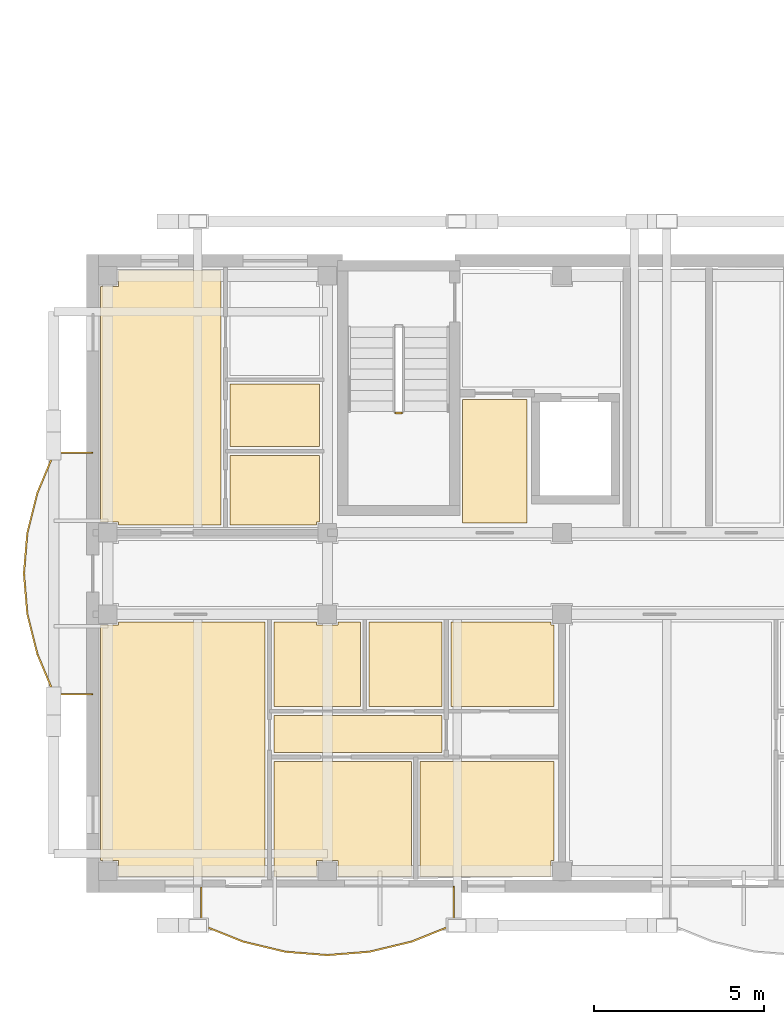
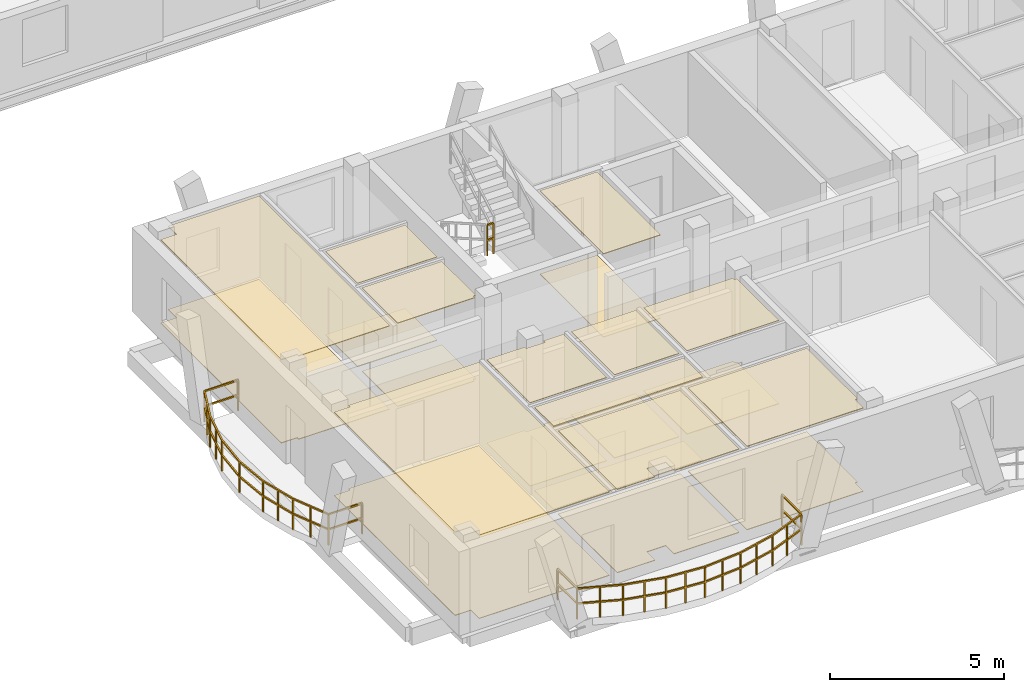
# One storey, part 87 of 109: 22 coverings, 3 railings.
"""IFC4 building model written with IfcOpenShell, lengths in metres."""

from ifc_helpers import new_model, si_unit, direction, frame, origin, origin_2d, place, context, subcontext, project, spatial, polyline, rectangle, outline, extrude, material, layer, layer_set, type_object, element, save


model = new_model("IFC4")

# Units and contexts
model_context = context("Model", 3, precision=1e-05, world=origin(), true_north=direction((0.0, 1.0)))
body_context = subcontext(model_context, "Body", "Model", "MODEL_VIEW")
ifc_project = project(units=[si_unit("LENGTHUNIT", "METRE"), si_unit("AREAUNIT", "SQUARE_METRE"), si_unit("VOLUMEUNIT", "CUBIC_METRE"), si_unit("PLANEANGLEUNIT", "RADIAN"), si_unit("MASSUNIT", "GRAM", prefix="KILO")], contexts=[model_context])

# Site, building, storey
site_placement = place(None, origin())
site = spatial("IfcSite", under=ifc_project, at=site_placement, CompositionType="ELEMENT")
building_placement = place(site_placement, origin())
building = spatial("IfcBuilding", under=site, at=building_placement, Name="Zavelmont Quarter", CompositionType="ELEMENT")
storey_placement = place(building_placement, frame((0.0, 0.0, 8.0)))
storey = spatial("IfcBuildingStorey", under=building, at=storey_placement, Name="L02", CompositionType="ELEMENT", Elevation=8.0)

# Coverings
ifc_material_1 = material(Name="Perforated acoustic gypsum board")
ifc_layer_1 = layer(ifc_material_1, 0.02490234375)
ifc_layer_set_1 = layer_set([ifc_layer_1], Name="Perforated acoustic gypsum board")
covering_type_1 = type_object("IfcCoveringType", Name="CV-CL01", PredefinedType="CEILING", material=ifc_layer_set_1)
covering_1_placement = place(storey_placement, frame((0.0, 0.0, 2.9150390625)))
element("IfcCovering", 1, at=covering_1_placement, inside=storey, type_object=covering_type_1, Name="L02 Lobby Vestibule acoustic ceiling", PredefinedType="CEILING", context=body_context, shape_type="SweptSolid", body=[
    extrude(outline(polyline([(10.8798828125, 14.320068359375), (12.77001953125, 14.320068359375), (12.77001953125, 10.679931640625), (10.8798828125, 10.679931640625), (10.8798828125, 14.320068359375)])), origin(), (0.0, 0.0, 1.0), 0.02490234375),
])
covering_2_placement = place(storey_placement, frame((0.0, 0.0, 2.9150390625)))
element("IfcCovering", 2, at=covering_2_placement, inside=storey, type_object=covering_type_1, Name="L02 Living Dining acoustic ceiling", PredefinedType="CEILING", context=body_context, shape_type="SweptSolid", body=[
    extrude(outline(polyline([(0.22998046875, 7.68505859375), (0.7548828125, 7.68505859375), (0.7548828125, 7.77001953125), (5.070068359375, 7.77001953125), (5.070068359375, 0.280029296875), (0.7548828125, 0.280029296875), (0.7548828125, 0.7548828125), (0.22998046875, 0.7548828125), (0.22998046875, 7.68505859375)])), origin(), (0.0, 0.0, 1.0), 0.02490234375),
])
covering_3_placement = place(storey_placement, frame((0.0, 0.0, 2.9150390625)))
element("IfcCovering", 3, at=covering_3_placement, inside=storey, type_object=covering_type_1, Name="L02 Kitchen acoustic ceiling", PredefinedType="CEILING", context=body_context, shape_type="SweptSolid", body=[
    extrude(outline(polyline([(5.330078125, 7.77001953125), (6.5849609375, 7.77001953125), (6.5849609375, 7.68505859375), (7.215087890625, 7.68505859375), (7.215087890625, 7.77001953125), (7.8701171875, 7.77001953125), (7.8701171875, 5.280029296875), (5.330078125, 5.280029296875), (5.330078125, 7.77001953125)])), origin(), (0.0, 0.0, 1.0), 0.02490234375),
])
covering_4_placement = place(storey_placement, frame((0.0, 0.0, 2.9150390625)))
element("IfcCovering", 4, at=covering_4_placement, inside=storey, type_object=covering_type_1, Name="L02 Master Bedroom acoustic ceiling", PredefinedType="CEILING", context=body_context, shape_type="SweptSolid", body=[
    extrude(outline(polyline([(5.330078125, 3.669921875), (9.3701171875, 3.669921875), (9.3701171875, 0.280029296875), (7.215087890625, 0.280029296875), (7.215087890625, 0.7548828125), (6.5849609375, 0.7548828125), (6.5849609375, 0.280029296875), (5.330078125, 0.280029296875), (5.330078125, 3.669921875)])), origin(), (0.0, 0.0, 1.0), 0.02490234375),
])
covering_5_placement = place(storey_placement, frame((0.0, 0.0, 2.9150390625)))
element("IfcCovering", 5, at=covering_5_placement, inside=storey, type_object=covering_type_1, Name="L02 Double Bedroom acoustic ceiling", PredefinedType="CEILING", context=body_context, shape_type="SweptSolid", body=[
    extrude(outline(polyline([(9.6298828125, 3.669921875), (13.570068359375, 3.669921875), (13.570068359375, 0.7548828125), (13.485107421875, 0.7548828125), (13.485107421875, 0.280029296875), (9.6298828125, 0.280029296875), (9.6298828125, 3.669921875)])), origin(), (0.0, 0.0, 1.0), 0.02490234375),
])
covering_6_placement = place(storey_placement, frame((0.0, 0.0, 2.9150390625)))
element("IfcCovering", 6, at=covering_6_placement, inside=storey, type_object=covering_type_1, Name="L02 Living Dining acoustic ceiling", PredefinedType="CEILING", context=body_context, shape_type="SweptSolid", body=[
    extrude(outline(polyline([(0.22998046875, 17.64501953125), (0.7548828125, 17.64501953125), (0.7548828125, 18.1201171875), (3.77001953125, 18.1201171875), (3.77001953125, 10.6298828125), (0.7548828125, 10.6298828125), (0.7548828125, 10.715087890625), (0.22998046875, 10.715087890625), (0.22998046875, 17.64501953125)])), origin(), (0.0, 0.0, 1.0), 0.02490234375),
])
covering_7_placement = place(storey_placement, frame((0.0, 0.0, 2.9150390625)))
element("IfcCovering", 7, at=covering_7_placement, inside=storey, type_object=covering_type_1, Name="L02 Kitchen acoustic ceiling", PredefinedType="CEILING", context=body_context, shape_type="SweptSolid", body=[
    extrude(outline(polyline([(4.030029296875, 12.669921875), (6.669921875, 12.669921875), (6.669921875, 10.715087890625), (6.5849609375, 10.715087890625), (6.5849609375, 10.6298828125), (4.030029296875, 10.6298828125), (4.030029296875, 12.669921875)])), origin(), (0.0, 0.0, 1.0), 0.02490234375),
])
ifc_material_2 = material(Name="Slatted European ash acoustic baffle ceiling")
ifc_layer_2 = layer(ifc_material_2, 0.0400390625)
ifc_layer_set_2 = layer_set([ifc_layer_2], Name="Slatted European ash acoustic baffle ceiling")
covering_type_2 = type_object("IfcCoveringType", Name="CV-CL02", PredefinedType="CEILING", material=ifc_layer_set_2)
covering_8_placement = place(storey_placement, frame((0.0, 0.0, 2.89990234375)))
element("IfcCovering", 8, at=covering_8_placement, inside=storey, type_object=covering_type_2, Name="L02 Apartment Hall acoustic ceiling", PredefinedType="CEILING", context=body_context, shape_type="SweptSolid", body=[
    extrude(outline(polyline([(5.330078125, 5.02001953125), (10.27001953125, 5.02001953125), (10.27001953125, 3.929931640625), (5.330078125, 3.929931640625), (5.330078125, 5.02001953125)])), origin(), (0.0, 0.0, 1.0), 0.0400390625),
])
ifc_material_3 = material(Name="Moisture-resistant painted gypsum ceiling")
ifc_layer_3 = layer(ifc_material_3, 0.02001953125)
ifc_layer_set_3 = layer_set([ifc_layer_3], Name="Moisture-resistant painted gypsum ceiling")
covering_type_3 = type_object("IfcCoveringType", Name="CV-CL04", PredefinedType="CEILING", material=ifc_layer_set_3)
covering_9_placement = place(storey_placement, frame((0.0, 0.0, 2.919921875)))
element("IfcCovering", 9, at=covering_9_placement, inside=storey, type_object=covering_type_3, Name="L02 Bathroom acoustic ceiling", PredefinedType="CEILING", context=body_context, shape_type="SweptSolid", body=[
    extrude(outline(polyline([(8.1298828125, 7.77001953125), (10.27001953125, 7.77001953125), (10.27001953125, 5.280029296875), (8.1298828125, 5.280029296875), (8.1298828125, 7.77001953125)])), origin(), (0.0, 0.0, 1.0), 0.02001953125),
])
covering_10_placement = place(storey_placement, frame((0.0, 0.0, 2.919921875)))
element("IfcCovering", 10, at=covering_10_placement, inside=storey, type_object=covering_type_3, Name="L02 Bathroom acoustic ceiling", PredefinedType="CEILING", context=body_context, shape_type="SweptSolid", body=[
    extrude(outline(polyline([(10.530029296875, 7.77001953125), (13.485107421875, 7.77001953125), (13.485107421875, 7.68505859375), (13.570068359375, 7.68505859375), (13.570068359375, 5.280029296875), (10.530029296875, 5.280029296875), (10.530029296875, 7.77001953125)])), origin(), (0.0, 0.0, 1.0), 0.02001953125),
])
covering_11_placement = place(storey_placement, frame((0.0, 0.0, 2.919921875)))
element("IfcCovering", 11, at=covering_11_placement, inside=storey, type_object=covering_type_3, Name="L02 Bathroom acoustic ceiling", PredefinedType="CEILING", context=body_context, shape_type="SweptSolid", body=[
    extrude(outline(polyline([(4.030029296875, 14.77001953125), (6.669921875, 14.77001953125), (6.669921875, 12.929931640625), (4.030029296875, 12.929931640625), (4.030029296875, 14.77001953125)])), origin(), (0.0, 0.0, 1.0), 0.02001953125),
])
ifc_material_4 = material(Name="Engineered European oak parquet")
ifc_layer_4 = layer(ifc_material_4, 0.02197265625)
ifc_layer_set_4 = layer_set([ifc_layer_4], Name="Engineered European oak parquet")
covering_type_4 = type_object("IfcCoveringType", Name="CV-FL01", PredefinedType="FLOORING", material=ifc_layer_set_4)
covering_12_placement = place(storey_placement, origin())
element("IfcCovering", 12, at=covering_12_placement, inside=storey, type_object=covering_type_4, Name="L02 Lobby Vestibule floor finish", PredefinedType="FLOORING", context=body_context, shape_type="SweptSolid", body=[
    extrude(outline(polyline([(10.8798828125, 14.320068359375), (12.77001953125, 14.320068359375), (12.77001953125, 10.679931640625), (10.8798828125, 10.679931640625), (10.8798828125, 14.320068359375)])), origin(), (0.0, 0.0, 1.0), 0.02197265625),
])
covering_13_placement = place(storey_placement, origin())
element("IfcCovering", 13, at=covering_13_placement, inside=storey, type_object=covering_type_4, Name="L02 Living Dining floor finish", PredefinedType="FLOORING", context=body_context, shape_type="SweptSolid", body=[
    extrude(outline(polyline([(0.22998046875, 7.68505859375), (0.7548828125, 7.68505859375), (0.7548828125, 7.77001953125), (5.070068359375, 7.77001953125), (5.070068359375, 0.280029296875), (0.7548828125, 0.280029296875), (0.7548828125, 0.7548828125), (0.22998046875, 0.7548828125), (0.22998046875, 7.68505859375)])), origin(), (0.0, 0.0, 1.0), 0.02197265625),
])
covering_14_placement = place(storey_placement, origin())
element("IfcCovering", 14, at=covering_14_placement, inside=storey, type_object=covering_type_4, Name="L02 Kitchen floor finish", PredefinedType="FLOORING", context=body_context, shape_type="SweptSolid", body=[
    extrude(outline(polyline([(5.330078125, 7.77001953125), (6.5849609375, 7.77001953125), (6.5849609375, 7.68505859375), (7.215087890625, 7.68505859375), (7.215087890625, 7.77001953125), (7.8701171875, 7.77001953125), (7.8701171875, 5.280029296875), (5.330078125, 5.280029296875), (5.330078125, 7.77001953125)])), origin(), (0.0, 0.0, 1.0), 0.02197265625),
])
covering_15_placement = place(storey_placement, origin())
element("IfcCovering", 15, at=covering_15_placement, inside=storey, type_object=covering_type_4, Name="L02 Master Bedroom floor finish", PredefinedType="FLOORING", context=body_context, shape_type="SweptSolid", body=[
    extrude(outline(polyline([(5.330078125, 3.669921875), (9.3701171875, 3.669921875), (9.3701171875, 0.280029296875), (7.215087890625, 0.280029296875), (7.215087890625, 0.7548828125), (6.5849609375, 0.7548828125), (6.5849609375, 0.280029296875), (5.330078125, 0.280029296875), (5.330078125, 3.669921875)])), origin(), (0.0, 0.0, 1.0), 0.02197265625),
])
covering_16_placement = place(storey_placement, origin())
element("IfcCovering", 16, at=covering_16_placement, inside=storey, type_object=covering_type_4, Name="L02 Double Bedroom floor finish", PredefinedType="FLOORING", context=body_context, shape_type="SweptSolid", body=[
    extrude(outline(polyline([(9.6298828125, 3.669921875), (13.570068359375, 3.669921875), (13.570068359375, 0.7548828125), (13.485107421875, 0.7548828125), (13.485107421875, 0.280029296875), (9.6298828125, 0.280029296875), (9.6298828125, 3.669921875)])), origin(), (0.0, 0.0, 1.0), 0.02197265625),
])
covering_17_placement = place(storey_placement, origin())
element("IfcCovering", 17, at=covering_17_placement, inside=storey, type_object=covering_type_4, Name="L02 Living Dining floor finish", PredefinedType="FLOORING", context=body_context, shape_type="SweptSolid", body=[
    extrude(outline(polyline([(0.22998046875, 17.64501953125), (0.7548828125, 17.64501953125), (0.7548828125, 18.1201171875), (3.77001953125, 18.1201171875), (3.77001953125, 10.6298828125), (0.7548828125, 10.6298828125), (0.7548828125, 10.715087890625), (0.22998046875, 10.715087890625), (0.22998046875, 17.64501953125)])), origin(), (0.0, 0.0, 1.0), 0.02197265625),
])
covering_18_placement = place(storey_placement, origin())
element("IfcCovering", 18, at=covering_18_placement, inside=storey, type_object=covering_type_4, Name="L02 Kitchen floor finish", PredefinedType="FLOORING", context=body_context, shape_type="SweptSolid", body=[
    extrude(outline(polyline([(4.030029296875, 12.669921875), (6.669921875, 12.669921875), (6.669921875, 10.715087890625), (6.5849609375, 10.715087890625), (6.5849609375, 10.6298828125), (4.030029296875, 10.6298828125), (4.030029296875, 12.669921875)])), origin(), (0.0, 0.0, 1.0), 0.02197265625),
])
ifc_material_5 = material(Name="Honed Belgian bluestone tile", Category="masonry")
ifc_layer_5 = layer(ifc_material_5, 0.030029296875)
ifc_layer_set_5 = layer_set([ifc_layer_5], Name="Honed Belgian bluestone tile")
covering_type_5 = type_object("IfcCoveringType", Name="CV-FL02", PredefinedType="FLOORING", material=ifc_layer_set_5)
covering_19_placement = place(storey_placement, origin())
element("IfcCovering", 19, at=covering_19_placement, inside=storey, type_object=covering_type_5, Name="L02 Apartment Hall floor finish", PredefinedType="FLOORING", context=body_context, shape_type="SweptSolid", body=[
    extrude(outline(polyline([(5.330078125, 5.02001953125), (10.27001953125, 5.02001953125), (10.27001953125, 3.929931640625), (5.330078125, 3.929931640625), (5.330078125, 5.02001953125)])), origin(), (0.0, 0.0, 1.0), 0.030029296875),
])
ifc_material_6 = material(Name="Slip-resistant porcelain tile")
ifc_layer_6 = layer(ifc_material_6, 0.02587890625)
ifc_layer_set_6 = layer_set([ifc_layer_6], Name="Slip-resistant porcelain tile")
covering_type_6 = type_object("IfcCoveringType", Name="CV-FL04", PredefinedType="FLOORING", material=ifc_layer_set_6)
covering_20_placement = place(storey_placement, origin())
element("IfcCovering", 20, at=covering_20_placement, inside=storey, type_object=covering_type_6, Name="L02 Bathroom floor finish", PredefinedType="FLOORING", context=body_context, shape_type="SweptSolid", body=[
    extrude(outline(polyline([(8.1298828125, 7.77001953125), (10.27001953125, 7.77001953125), (10.27001953125, 5.280029296875), (8.1298828125, 5.280029296875), (8.1298828125, 7.77001953125)])), origin(), (0.0, 0.0, 1.0), 0.02587890625),
])
covering_21_placement = place(storey_placement, origin())
element("IfcCovering", 21, at=covering_21_placement, inside=storey, type_object=covering_type_6, Name="L02 Bathroom floor finish", PredefinedType="FLOORING", context=body_context, shape_type="SweptSolid", body=[
    extrude(outline(polyline([(10.530029296875, 7.77001953125), (13.485107421875, 7.77001953125), (13.485107421875, 7.68505859375), (13.570068359375, 7.68505859375), (13.570068359375, 5.280029296875), (10.530029296875, 5.280029296875), (10.530029296875, 7.77001953125)])), origin(), (0.0, 0.0, 1.0), 0.02587890625),
])
covering_22_placement = place(storey_placement, origin())
element("IfcCovering", 22, at=covering_22_placement, inside=storey, type_object=covering_type_6, Name="L02 Bathroom floor finish", PredefinedType="FLOORING", context=body_context, shape_type="SweptSolid", body=[
    extrude(outline(polyline([(4.030029296875, 14.77001953125), (6.669921875, 14.77001953125), (6.669921875, 12.929931640625), (4.030029296875, 12.929931640625), (4.030029296875, 14.77001953125)])), origin(), (0.0, 0.0, 1.0), 0.02587890625),
])

# Railings
ifc_material_7 = material(Name="Powder-coated steel and tempered double safety glass", Category="steel")
railing_type_1 = type_object("IfcRailingType", Name="RL-BAL1", PredefinedType="BALUSTRADE", material=ifc_material_7)
railing_1_placement = place(storey_placement, frame((3.185791015625, -0.02001953125, 0.0)))
element("IfcRailing", 23, at=railing_1_placement, inside=storey, type_object=railing_type_1, Name="L02 Block A curved balcony guard RL-BAL1", PredefinedType="BALUSTRADE", context=body_context, shape_type="SweptSolid", body=[
    extrude(rectangle(XDim=0.048095703125, YDim=0.048095703125, at=origin_2d()), frame((0.0, 0.0, 1.076171875), z_axis=(0.0, -1.0, 0.0), x_axis=(1.0, 0.0, 0.0)), (0.0, 0.0, 1.0), 1.1162109375),
    extrude(rectangle(XDim=0.048095703125, YDim=0.048095703125, at=origin_2d()), frame((0.0, 0.0, 0.550048828125), z_axis=(0.0, -1.0, 0.0), x_axis=(1.0, 0.0, 0.0)), (0.0, 0.0, 1.0), 1.1162109375),
    extrude(rectangle(XDim=0.048095703125, YDim=0.048095703125, at=origin_2d()), frame((0.0, -1.1162109375, 1.076171875), z_axis=(0.928312474774, -0.37180095371, 0.0), x_axis=(0.37180095371, 0.928312474774, 0.0)), (0.0, 0.0, 1.0), 1.333740234375),
    extrude(rectangle(XDim=0.048095703125, YDim=0.048095703125, at=origin_2d()), frame((0.0, -1.1162109375, 0.550048828125), z_axis=(0.928312474774, -0.37180095371, 0.0), x_axis=(0.37180095371, 0.928312474774, 0.0)), (0.0, 0.0, 1.0), 1.333740234375),
    extrude(rectangle(XDim=0.048095703125, YDim=0.048095703125, at=origin_2d()), frame((1.238037109375, -1.612060546875, 1.076171875), z_axis=(0.972301955832, -0.233728275322, 0.0), x_axis=(0.233728275322, 0.972301955832, 0.0)), (0.0, 0.0, 1.0), 1.273193359375),
    extrude(rectangle(XDim=0.048095703125, YDim=0.048095703125, at=origin_2d()), frame((1.238037109375, -1.612060546875, 0.550048828125), z_axis=(0.972301955832, -0.233728275322, 0.0), x_axis=(0.233728275322, 0.972301955832, 0.0)), (0.0, 0.0, 1.0), 1.273193359375),
    extrude(rectangle(XDim=0.048095703125, YDim=0.048095703125, at=origin_2d()), frame((2.47607421875, -1.90966796875, 1.076171875), z_axis=(0.996794619653, -0.080003038888, 0.0), x_axis=(0.080003038888, 0.996794619653, 0.0)), (0.0, 0.0, 1.0), 1.241943359375),
    extrude(rectangle(XDim=0.048095703125, YDim=0.048095703125, at=origin_2d()), frame((2.47607421875, -1.90966796875, 0.550048828125), z_axis=(0.996794619653, -0.080003038888, 0.0), x_axis=(0.080003038888, 0.996794619653, 0.0)), (0.0, 0.0, 1.0), 1.241943359375),
    extrude(rectangle(XDim=0.048095703125, YDim=0.048095703125, at=origin_2d()), frame((3.714111328125, -2.009033203125, 1.076171875), z_axis=(0.996795877412, 0.079987366346, 0.0), x_axis=(-0.079987366346, 0.996795877412, 0.0)), (0.0, 0.0, 1.0), 1.2421875),
    extrude(rectangle(XDim=0.048095703125, YDim=0.048095703125, at=origin_2d()), frame((3.714111328125, -2.009033203125, 0.550048828125), z_axis=(0.996795877412, 0.079987366346, 0.0), x_axis=(-0.079987366346, 0.996795877412, 0.0)), (0.0, 0.0, 1.0), 1.2421875),
    extrude(rectangle(XDim=0.048095703125, YDim=0.048095703125, at=origin_2d()), frame((4.952392578125, -1.90966796875, 1.076171875), z_axis=(0.972301955832, 0.233728275322, 0.0), x_axis=(-0.233728275322, 0.972301955832, 0.0)), (0.0, 0.0, 1.0), 1.273193359375),
    extrude(rectangle(XDim=0.048095703125, YDim=0.048095703125, at=origin_2d()), frame((4.952392578125, -1.90966796875, 0.550048828125), z_axis=(0.972301955832, 0.233728275322, 0.0), x_axis=(-0.233728275322, 0.972301955832, 0.0)), (0.0, 0.0, 1.0), 1.273193359375),
    extrude(rectangle(XDim=0.048095703125, YDim=0.048095703125, at=origin_2d()), frame((6.1904296875, -1.612060546875, 1.076171875), z_axis=(0.928312474774, 0.37180095371, 0.0), x_axis=(-0.37180095371, 0.928312474774, 0.0)), (0.0, 0.0, 1.0), 1.333740234375),
    extrude(rectangle(XDim=0.048095703125, YDim=0.048095703125, at=origin_2d()), frame((6.1904296875, -1.612060546875, 0.550048828125), z_axis=(0.928312474774, 0.37180095371, 0.0), x_axis=(-0.37180095371, 0.928312474774, 0.0)), (0.0, 0.0, 1.0), 1.333740234375),
    extrude(rectangle(XDim=0.048095703125, YDim=0.048095703125, at=origin_2d()), frame((7.428466796875, -1.1162109375, 1.076171875), z_axis=(0.0, 1.0, 0.0), x_axis=(-1.0, 0.0, 0.0)), (0.0, 0.0, 1.0), 1.1162109375),
    extrude(rectangle(XDim=0.048095703125, YDim=0.048095703125, at=origin_2d()), frame((7.428466796875, -1.1162109375, 0.550048828125), z_axis=(0.0, 1.0, 0.0), x_axis=(-1.0, 0.0, 0.0)), (0.0, 0.0, 1.0), 1.1162109375),
    extrude(rectangle(XDim=0.0419921875, YDim=0.0419921875, at=origin_2d()), origin(), (0.0, 0.0, 1.0), 1.052001953125),
    extrude(rectangle(XDim=0.0419921875, YDim=0.0419921875, at=origin_2d()), frame((0.0, -1.1162109375, 0.0)), (0.0, 0.0, 1.0), 1.052001953125),
    extrude(rectangle(XDim=0.0419921875, YDim=0.0419921875, at=origin_2d()), frame((0.619140625, -1.3642578125, 0.0)), (0.0, 0.0, 1.0), 1.052001953125),
    extrude(rectangle(XDim=0.0419921875, YDim=0.0419921875, at=origin_2d()), frame((1.238037109375, -1.612060546875, 0.0)), (0.0, 0.0, 1.0), 1.052001953125),
    extrude(rectangle(XDim=0.0419921875, YDim=0.0419921875, at=origin_2d()), frame((1.85693359375, -1.7607421875, 0.0)), (0.0, 0.0, 1.0), 1.052001953125),
    extrude(rectangle(XDim=0.0419921875, YDim=0.0419921875, at=origin_2d()), frame((2.47607421875, -1.90966796875, 0.0)), (0.0, 0.0, 1.0), 1.052001953125),
    extrude(rectangle(XDim=0.0419921875, YDim=0.0419921875, at=origin_2d()), frame((3.09521484375, -1.95947265625, 0.0)), (0.0, 0.0, 1.0), 1.052001953125),
    extrude(rectangle(XDim=0.0419921875, YDim=0.0419921875, at=origin_2d()), frame((3.714111328125, -2.009033203125, 0.0)), (0.0, 0.0, 1.0), 1.052001953125),
    extrude(rectangle(XDim=0.0419921875, YDim=0.0419921875, at=origin_2d()), frame((4.333251953125, -1.95947265625, 0.0)), (0.0, 0.0, 1.0), 1.052001953125),
    extrude(rectangle(XDim=0.0419921875, YDim=0.0419921875, at=origin_2d()), frame((4.952392578125, -1.90966796875, 0.0)), (0.0, 0.0, 1.0), 1.052001953125),
    extrude(rectangle(XDim=0.0419921875, YDim=0.0419921875, at=origin_2d()), frame((5.5712890625, -1.7607421875, 0.0)), (0.0, 0.0, 1.0), 1.052001953125),
    extrude(rectangle(XDim=0.0419921875, YDim=0.0419921875, at=origin_2d()), frame((6.1904296875, -1.612060546875, 0.0)), (0.0, 0.0, 1.0), 1.052001953125),
    extrude(rectangle(XDim=0.0419921875, YDim=0.0419921875, at=origin_2d()), frame((6.8095703125, -1.3642578125, 0.0)), (0.0, 0.0, 1.0), 1.052001953125),
    extrude(rectangle(XDim=0.0419921875, YDim=0.0419921875, at=origin_2d()), frame((7.428466796875, -1.1162109375, 0.0)), (0.0, 0.0, 1.0), 1.052001953125),
    extrude(rectangle(XDim=0.0419921875, YDim=0.0419921875, at=origin_2d()), frame((7.428466796875, 0.0, 0.0)), (0.0, 0.0, 1.0), 1.052001953125),
])
railing_2_placement = place(storey_placement, frame((-0.02001953125, 12.75634765625, 0.0)))
element("IfcRailing", 24, at=railing_2_placement, inside=storey, type_object=railing_type_1, Name="L02 Block A curved balcony guard RL-BAL1", PredefinedType="BALUSTRADE", context=body_context, shape_type="SweptSolid", body=[
    extrude(rectangle(XDim=0.048095703125, YDim=0.048095703125, at=origin_2d()), frame((0.0, 0.0, 1.076171875), z_axis=(-1.0, 0.0, 0.0), x_axis=(0.0, -1.0, 0.0)), (0.0, 0.0, 1.0), 1.1162109375),
    extrude(rectangle(XDim=0.048095703125, YDim=0.048095703125, at=origin_2d()), frame((0.0, 0.0, 0.550048828125), z_axis=(-1.0, 0.0, 0.0), x_axis=(0.0, -1.0, 0.0)), (0.0, 0.0, 1.0), 1.1162109375),
    extrude(rectangle(XDim=0.048095703125, YDim=0.048095703125, at=origin_2d()), frame((-1.1162109375, 0.0, 1.076171875), z_axis=(-0.385856111418, -0.922558974419, 0.0), x_axis=(0.922558974419, -0.385856111418, 0.0)), (0.0, 0.0, 1.0), 1.28515625),
    extrude(rectangle(XDim=0.048095703125, YDim=0.048095703125, at=origin_2d()), frame((-1.1162109375, 0.0, 0.550048828125), z_axis=(-0.385856111418, -0.922558974419, 0.0), x_axis=(0.922558974419, -0.385856111418, 0.0)), (0.0, 0.0, 1.0), 1.28515625),
    extrude(rectangle(XDim=0.048095703125, YDim=0.048095703125, at=origin_2d()), frame((-1.612060546875, -1.185546875, 1.076171875), z_axis=(-0.243522610394, -0.969895220231, 0.0), x_axis=(0.969895220231, -0.243522610394, 0.0)), (0.0, 0.0, 1.0), 1.22216796875),
    extrude(rectangle(XDim=0.048095703125, YDim=0.048095703125, at=origin_2d()), frame((-1.612060546875, -1.185546875, 0.550048828125), z_axis=(-0.243522610394, -0.969895220231, 0.0), x_axis=(0.969895220231, -0.243522610394, 0.0)), (0.0, 0.0, 1.0), 1.22216796875),
    extrude(rectangle(XDim=0.048095703125, YDim=0.048095703125, at=origin_2d()), frame((-1.90966796875, -2.370849609375, 1.076171875), z_axis=(-0.083520994489, -0.996506017784, 0.0), x_axis=(0.996506017784, -0.083520994489, 0.0)), (0.0, 0.0, 1.0), 1.189697265625),
    extrude(rectangle(XDim=0.048095703125, YDim=0.048095703125, at=origin_2d()), frame((-1.90966796875, -2.370849609375, 0.550048828125), z_axis=(-0.083520994489, -0.996506017784, 0.0), x_axis=(0.996506017784, -0.083520994489, 0.0)), (0.0, 0.0, 1.0), 1.189697265625),
    extrude(rectangle(XDim=0.048095703125, YDim=0.048095703125, at=origin_2d()), frame((-2.009033203125, -3.556396484375, 1.076171875), z_axis=(0.083538077536, -0.996504585841, 0.0), x_axis=(0.996504585841, 0.083538077536, 0.0)), (0.0, 0.0, 1.0), 1.189453125),
    extrude(rectangle(XDim=0.048095703125, YDim=0.048095703125, at=origin_2d()), frame((-2.009033203125, -3.556396484375, 0.550048828125), z_axis=(0.083538077536, -0.996504585841, 0.0), x_axis=(0.996504585841, 0.083538077536, 0.0)), (0.0, 0.0, 1.0), 1.189453125),
    extrude(rectangle(XDim=0.048095703125, YDim=0.048095703125, at=origin_2d()), frame((-1.90966796875, -4.74169921875, 1.076171875), z_axis=(0.24347543471, -0.969907063946, 0.0), x_axis=(0.969907063946, 0.24347543471, 0.0)), (0.0, 0.0, 1.0), 1.222412109375),
    extrude(rectangle(XDim=0.048095703125, YDim=0.048095703125, at=origin_2d()), frame((-1.90966796875, -4.74169921875, 0.550048828125), z_axis=(0.24347543471, -0.969907063946, 0.0), x_axis=(0.969907063946, 0.24347543471, 0.0)), (0.0, 0.0, 1.0), 1.222412109375),
    extrude(rectangle(XDim=0.048095703125, YDim=0.048095703125, at=origin_2d()), frame((-1.612060546875, -5.92724609375, 1.076171875), z_axis=(0.38592375155, -0.922530681327, 0.0), x_axis=(0.922530681327, 0.38592375155, 0.0)), (0.0, 0.0, 1.0), 1.284912109375),
    extrude(rectangle(XDim=0.048095703125, YDim=0.048095703125, at=origin_2d()), frame((-1.612060546875, -5.92724609375, 0.550048828125), z_axis=(0.38592375155, -0.922530681327, 0.0), x_axis=(0.922530681327, 0.38592375155, 0.0)), (0.0, 0.0, 1.0), 1.284912109375),
    extrude(rectangle(XDim=0.048095703125, YDim=0.048095703125, at=origin_2d()), frame((-1.1162109375, -7.112548828125, 1.076171875), z_axis=(1.0, 0.0, 0.0), x_axis=(0.0, 1.0, 0.0)), (0.0, 0.0, 1.0), 1.1162109375),
    extrude(rectangle(XDim=0.048095703125, YDim=0.048095703125, at=origin_2d()), frame((-1.1162109375, -7.112548828125, 0.550048828125), z_axis=(1.0, 0.0, 0.0), x_axis=(0.0, 1.0, 0.0)), (0.0, 0.0, 1.0), 1.1162109375),
    extrude(rectangle(XDim=0.0419921875, YDim=0.0419921875, at=origin_2d()), origin(), (0.0, 0.0, 1.0), 1.052001953125),
    extrude(rectangle(XDim=0.0419921875, YDim=0.0419921875, at=origin_2d()), frame((-1.1162109375, 0.0, 0.0)), (0.0, 0.0, 1.0), 1.052001953125),
    extrude(rectangle(XDim=0.0419921875, YDim=0.0419921875, at=origin_2d()), frame((-1.3642578125, -0.5927734375, 0.0)), (0.0, 0.0, 1.0), 1.052001953125),
    extrude(rectangle(XDim=0.0419921875, YDim=0.0419921875, at=origin_2d()), frame((-1.612060546875, -1.185546875, 0.0)), (0.0, 0.0, 1.0), 1.052001953125),
    extrude(rectangle(XDim=0.0419921875, YDim=0.0419921875, at=origin_2d()), frame((-1.7607421875, -1.7783203125, 0.0)), (0.0, 0.0, 1.0), 1.052001953125),
    extrude(rectangle(XDim=0.0419921875, YDim=0.0419921875, at=origin_2d()), frame((-1.90966796875, -2.370849609375, 0.0)), (0.0, 0.0, 1.0), 1.052001953125),
    extrude(rectangle(XDim=0.0419921875, YDim=0.0419921875, at=origin_2d()), frame((-2.009033203125, -3.556396484375, 0.0)), (0.0, 0.0, 1.0), 1.052001953125),
    extrude(rectangle(XDim=0.0419921875, YDim=0.0419921875, at=origin_2d()), frame((-1.90966796875, -4.74169921875, 0.0)), (0.0, 0.0, 1.0), 1.052001953125),
    extrude(rectangle(XDim=0.0419921875, YDim=0.0419921875, at=origin_2d()), frame((-1.7607421875, -5.33447265625, 0.0)), (0.0, 0.0, 1.0), 1.052001953125),
    extrude(rectangle(XDim=0.0419921875, YDim=0.0419921875, at=origin_2d()), frame((-1.612060546875, -5.92724609375, 0.0)), (0.0, 0.0, 1.0), 1.052001953125),
    extrude(rectangle(XDim=0.0419921875, YDim=0.0419921875, at=origin_2d()), frame((-1.3642578125, -6.52001953125, 0.0)), (0.0, 0.0, 1.0), 1.052001953125),
    extrude(rectangle(XDim=0.0419921875, YDim=0.0419921875, at=origin_2d()), frame((-1.1162109375, -7.112548828125, 0.0)), (0.0, 0.0, 1.0), 1.052001953125),
    extrude(rectangle(XDim=0.0419921875, YDim=0.0419921875, at=origin_2d()), frame((0.0, -7.112548828125, 0.0)), (0.0, 0.0, 1.0), 1.052001953125),
])
ifc_material_8 = material(Name="Powder-coated steel stair guardrail", Category="steel")
railing_type_2 = type_object("IfcRailingType", Name="RL-GRD1", PredefinedType="GUARDRAIL", material=ifc_material_8)
railing_3_placement = place(storey_placement, frame((8.89990234375, 13.919921875, 1.60009765625)))
element("IfcRailing", 25, at=railing_3_placement, inside=storey, type_object=railing_type_2, Name="L02 ST01 stair guardrail 2", PredefinedType="GUARDRAIL", context=body_context, shape_type="SweptSolid", body=[
    extrude(rectangle(XDim=0.048095703125, YDim=0.048095703125, at=origin_2d()), frame((0.0, 0.0, 1.076171875), z_axis=(1.0, 0.0, 0.0), x_axis=(0.0, 1.0, 0.0)), (0.0, 0.0, 1.0), 0.2001953125),
    extrude(rectangle(XDim=0.048095703125, YDim=0.048095703125, at=origin_2d()), frame((0.0, 0.0, 0.550048828125), z_axis=(1.0, 0.0, 0.0), x_axis=(0.0, 1.0, 0.0)), (0.0, 0.0, 1.0), 0.2001953125),
    extrude(rectangle(XDim=0.0419921875, YDim=0.0419921875, at=origin_2d()), origin(), (0.0, 0.0, 1.0), 1.052001953125),
    extrude(rectangle(XDim=0.0419921875, YDim=0.0419921875, at=origin_2d()), frame((0.2001953125, 0.0, 0.0)), (0.0, 0.0, 1.0), 1.052001953125),
])

save(model, "model.ifc")
